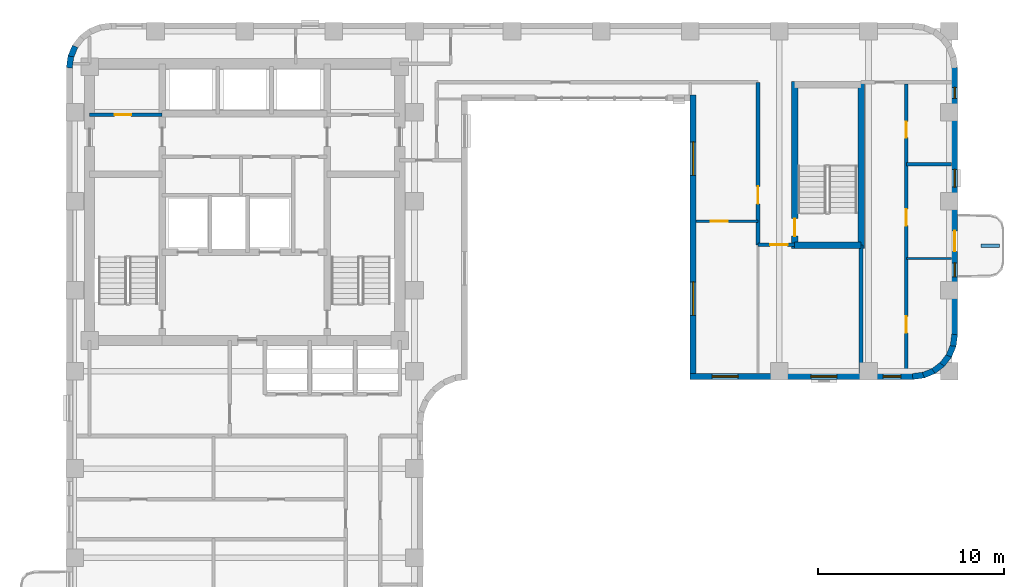
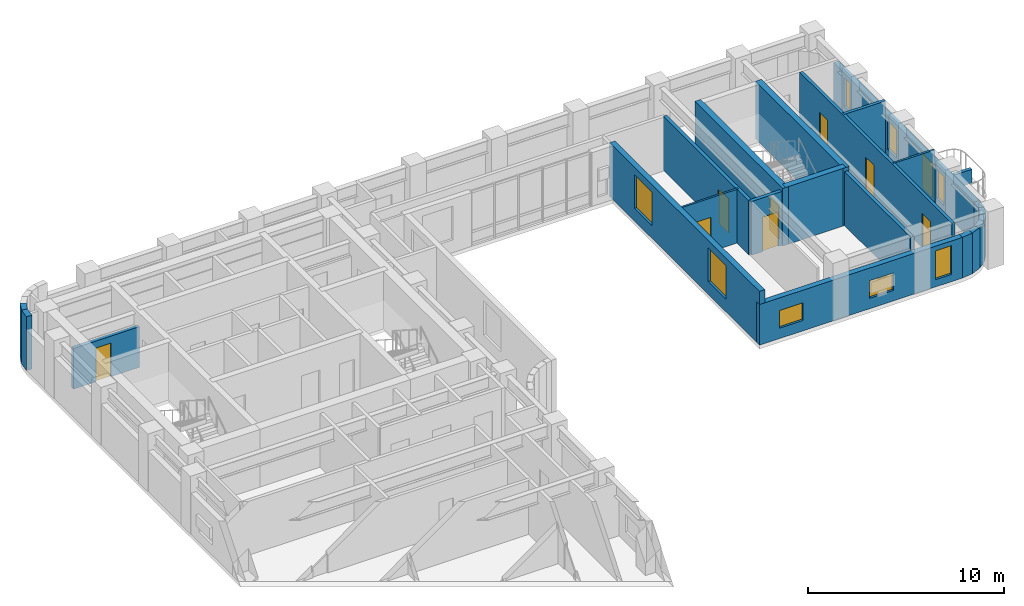
# One storey, part 6 of 11: 23 walls, 9 doors, 8 windows, 17 openings.
"""IFC4 building model written with IfcOpenShell, lengths in metres."""

from ifc_helpers import new_model, si_unit, direction, frame, frame_2d, origin, place, context, subcontext, project, spatial, rectangle, extrude, material, layer, layer_set, type_object, element, fill, save


model = new_model("IFC4")

# Units and contexts
model_context = context("Model", 3, precision=1e-05, world=origin(), true_north=direction((0.0, 1.0)))
body_context = subcontext(model_context, "Body", "Model", "MODEL_VIEW")
ifc_project = project(units=[si_unit("LENGTHUNIT", "METRE"), si_unit("AREAUNIT", "SQUARE_METRE"), si_unit("VOLUMEUNIT", "CUBIC_METRE"), si_unit("PLANEANGLEUNIT", "RADIAN"), si_unit("MASSUNIT", "GRAM", prefix="KILO")], contexts=[model_context])

# Site, building, storey
site_placement = place(None, origin())
site = spatial("IfcSite", under=ifc_project, at=site_placement, CompositionType="ELEMENT")
building_placement = place(site_placement, origin())
building = spatial("IfcBuilding", under=site, at=building_placement, Name="Orvandelia Arch Residences", CompositionType="ELEMENT")
storey_placement = place(building_placement, frame((0.0, 0.0, 157.60009765625)))
storey = spatial("IfcBuildingStorey", under=building, at=storey_placement, Name="L41", CompositionType="ELEMENT", Elevation=157.60009765625)

# Wall, opening, door
ifc_material_1 = material(Name="Concrete C50/60", Category="concrete")
ifc_layer_1 = layer(ifc_material_1, 0.35009765625, Name="Concrete C50/60", Category="concrete")
ifc_layer_set_1 = layer_set([ifc_layer_1], Name="Concrete C50/60")
wall_type_1 = type_object("IfcWallType", Name="WL-CORE-350", PredefinedType="SHEAR", material=ifc_layer_set_1)
wall_1_placement = place(storey_placement, frame((44.02001953125, 35.864990234375, 0.0), z_axis=(0.0, 0.0, 1.0), x_axis=(0.0, 1.0, 0.0)))
wall_1 = element("IfcWall", 1, at=wall_1_placement, inside=storey, type_object=wall_type_1, Name="East Stair Core Shear Wall L41-W", PredefinedType="SHEAR", context=body_context, shape_type="SweptSolid", body=[
    extrude(rectangle(XDim=8.969970703125, YDim=0.35009765625, at=frame_2d((4.48486328125, 0.0))), origin(), (0.0, 0.0, 1.0), 3.599853515625),
])
opening_1_placement = place(wall_1_placement, frame((0.64990234375, 0.0, 0.0)))
opening_1 = element("IfcOpeningElement", 2, at=opening_1_placement, cuts=wall_1, Name="Opening D7", PredefinedType="OPENING", context=body_context, shape_type="SweptSolid", body=[
    extrude(rectangle(XDim=0.949951171875, YDim=2.10009765625, at=frame_2d((0.47509765625, 1.050048828125))), frame((0.0, 0.18505859375, 0.0), z_axis=(0.0, -1.0, 0.0), x_axis=(1.0, 0.0, 0.0)), (0.0, 0.0, 1.0), 0.3701171875),
])
ifc_material_2 = material(Name="Pressurised Stairwell Fire Door")
door_type_1 = type_object("IfcDoorType", Name="DR-STAIR-950", OperationType="NOTDEFINED", PredefinedType="DOOR", material=ifc_material_2)
door_1_placement = place(opening_1_placement, origin())
door_1 = element("IfcDoor", 3, at=door_1_placement, inside=storey, type_object=door_type_1, Name="East Stairwell ST-3 Fire Door L41", OperationType="SINGLE_SWING_LEFT", OverallHeight=2.10009765625, OverallWidth=0.949951171875, PredefinedType="DOOR", context=body_context, shape_type="SweptSolid", body=[
    extrude(rectangle(XDim=0.949951171875, YDim=2.10009765625, at=frame_2d((0.47509765625, 1.050048828125))), frame((0.0, 0.02490234375, 0.0), z_axis=(0.0, -1.0, 0.0), x_axis=(1.0, 0.0, 0.0)), (0.0, 0.0, 1.0), 0.050048828125),
])
fill(opening_1, door_1)

# Walls
wall_2_placement = place(storey_placement, frame((47.60009765625, 35.864990234375, 0.0), z_axis=(0.0, 0.0, 1.0), x_axis=(0.0, 1.0, 0.0)))
element("IfcWall", 4, at=wall_2_placement, inside=storey, type_object=wall_type_1, Name="East Stair Core Shear Wall L41-E", PredefinedType="SHEAR", context=body_context, shape_type="SweptSolid", body=[
    extrude(rectangle(XDim=8.969970703125, YDim=0.35009765625, at=frame_2d((4.48486328125, 0.0))), origin(), (0.0, 0.0, 1.0), 3.599853515625),
])
wall_3_placement = place(storey_placement, frame((44.02001953125, 36.0400390625, 0.0), z_axis=(0.0, 0.0, 1.0), x_axis=(1.0, 0.0, 0.0)))
element("IfcWall", 5, at=wall_3_placement, inside=storey, type_object=wall_type_1, Name="East Stair Core Shear Wall L41-S", PredefinedType="SHEAR", context=body_context, shape_type="SweptSolid", body=[
    extrude(rectangle(XDim=3.580078125, YDim=0.35009765625, at=frame_2d((1.7900390625, 0.0))), origin(), (0.0, 0.0, 1.0), 3.599853515625),
])

# Wall, opening, door
ifc_material_3 = material(Name="Fire-Rated Corridor Partition")
ifc_layer_2 = layer(ifc_material_3, 0.199951171875, Name="Fire-Rated Corridor Partition")
ifc_layer_set_2 = layer_set([ifc_layer_2], Name="Fire-Rated Corridor Partition")
wall_type_2 = type_object("IfcWallType", Name="WL-CORR-200", PredefinedType="PARTITIONING", material=ifc_layer_set_2)
wall_4_placement = place(storey_placement, frame((42.050048828125, 36.050048828125, 0.0), z_axis=(0.0, 0.0, 1.0), x_axis=(0.0, 1.0, 0.0)))
wall_4 = element("IfcWall", 6, at=wall_4_placement, inside=storey, type_object=wall_type_2, Name="Interior Partition Wall WL-L41-ENP-SW", PredefinedType="PARTITIONING", context=body_context, shape_type="SweptSolid", body=[
    extrude(rectangle(XDim=8.75, YDim=0.199951171875, at=frame_2d((4.375, 0.0))), origin(), (0.0, 0.0, 1.0), 3.35986328125),
])
opening_2_placement = place(wall_4_placement, frame((2.199951171875, 0.0, 0.0)))
opening_2 = element("IfcOpeningElement", 7, at=opening_2_placement, cuts=wall_4, Name="Opening D2", PredefinedType="OPENING", context=body_context, shape_type="SweptSolid", body=[
    extrude(rectangle(XDim=0.949951171875, YDim=2.14990234375, at=frame_2d((0.47509765625, 1.074951171875))), frame((0.0, 0.10986328125, 0.0), z_axis=(0.0, -1.0, 0.0), x_axis=(1.0, 0.0, 0.0)), (0.0, 0.0, 1.0), 0.219970703125),
])
ifc_material_4 = material(Name="Solid-Core Timber Interior Fire Door", Category="wood")
door_type_2 = type_object("IfcDoorType", Name="DR-APT-950", OperationType="NOTDEFINED", PredefinedType="DOOR", material=ifc_material_4)
door_2_placement = place(opening_2_placement, origin())
door_2 = element("IfcDoor", 8, at=door_2_placement, inside=storey, type_object=door_type_2, Name="DR-L41-VPE1", OperationType="SINGLE_SWING_LEFT", OverallHeight=2.14990234375, OverallWidth=0.949951171875, PredefinedType="DOOR", context=body_context, shape_type="SweptSolid", body=[
    extrude(rectangle(XDim=0.949951171875, YDim=2.14990234375, at=frame_2d((0.47509765625, 1.074951171875))), frame((0.0, 0.02490234375, 0.0), z_axis=(0.0, -1.0, 0.0), x_axis=(1.0, 0.0, 0.0)), (0.0, 0.0, 1.0), 0.050048828125),
])
fill(opening_2, door_2)

wall_5_placement = place(storey_placement, frame((42.050048828125, 36.050048828125, 0.0), z_axis=(0.0, 0.0, 1.0), x_axis=(1.0, 0.0, 0.0)))
wall_5 = element("IfcWall", 9, at=wall_5_placement, inside=storey, type_object=wall_type_2, Name="Interior Partition Wall WL-L41-ENP-SS", PredefinedType="PARTITIONING", context=body_context, shape_type="SweptSolid", body=[
    extrude(rectangle(XDim=1.969970703125, YDim=0.199951171875, at=frame_2d((0.98486328125, 0.0))), origin(), (0.0, 0.0, 1.0), 3.35986328125),
])
opening_3_placement = place(wall_5_placement, frame((0.64990234375, 0.0, 0.0)))
opening_3 = element("IfcOpeningElement", 10, at=opening_3_placement, cuts=wall_5, Name="Opening D2", PredefinedType="OPENING", context=body_context, shape_type="SweptSolid", body=[
    extrude(rectangle(XDim=0.949951171875, YDim=2.14990234375, at=frame_2d((0.47509765625, 1.074951171875))), frame((0.0, 0.10986328125, 0.0), z_axis=(0.0, -1.0, 0.0), x_axis=(1.0, 0.0, 0.0)), (0.0, 0.0, 1.0), 0.219970703125),
])
door_3_placement = place(opening_3_placement, origin())
door_3 = element("IfcDoor", 11, at=door_3_placement, inside=storey, type_object=door_type_2, Name="DR-L41-VPS3", OperationType="SINGLE_SWING_LEFT", OverallHeight=2.14990234375, OverallWidth=0.949951171875, PredefinedType="DOOR", context=body_context, shape_type="SweptSolid", body=[
    extrude(rectangle(XDim=0.949951171875, YDim=2.14990234375, at=frame_2d((0.47509765625, 1.074951171875))), frame((0.0, 0.02490234375, 0.0), z_axis=(0.0, -1.0, 0.0), x_axis=(1.0, 0.0, 0.0)), (0.0, 0.0, 1.0), 0.050048828125),
])
fill(opening_3, door_3)

# Walls
ifc_material_5 = material(Name="Concrete C40/50", Category="concrete")
ifc_layer_3 = layer(ifc_material_5, 0.199951171875, Name="Concrete C40/50", Category="concrete")
ifc_layer_set_3 = layer_set([ifc_layer_3], Name="Concrete C40/50")
wall_type_3 = type_object("IfcWallType", Name="WL-DEM-200", PredefinedType="SOLIDWALL", material=ifc_layer_set_3)
wall_6_placement = place(storey_placement, frame((47.60009765625, 29.1201171875, 0.0), z_axis=(0.0, 0.0, 1.0), x_axis=(0.0, 1.0, 0.0)))
element("IfcWall", 12, at=wall_6_placement, inside=storey, type_object=wall_type_3, Name="Interior Partition Wall WL-L41-VPS3-E", PredefinedType="SOLIDWALL", context=body_context, shape_type="SweptSolid", body=[
    extrude(rectangle(XDim=6.919921875, YDim=0.199951171875, at=frame_2d((3.4599609375, 0.0))), origin(), (0.0, 0.0, 1.0), 3.35986328125),
])
ifc_material_6 = material(Name="Precast concrete C40/50", Category="concrete")
ifc_layer_4 = layer(ifc_material_6, 0.320068359375, Name="Precast concrete C40/50", Category="concrete")
ifc_layer_set_4 = layer_set([ifc_layer_4], Name="Precast concrete C40/50")
wall_type_4 = type_object("IfcWallType", Name="WL-EXT-STONE-320", PredefinedType="STANDARD", material=ifc_layer_set_4)
for number, where, z_axis, x_axis, name in (
    (13, (4.95849609375, 45.5791015625, 0.0), (0.0, 0.0, 1.0), (0.130555323746, 0.9914410257, 0.0), "Coral-Limestone Precast Facade Wall L41-001"),
    (14, (5.029541015625, 46.159912109375, 0.0), (0.0, 0.0, 1.0), (0.382650053678, 0.92389335771, 0.0), "Coral-Limestone Precast Facade Wall L41-002"),
):
    element("IfcWall", number, at=place(storey_placement, frame(where, z_axis=z_axis, x_axis=x_axis)), inside=storey, type_object=wall_type_4, Name=name, PredefinedType="STANDARD", context=body_context, shape_type="SweptSolid", body=[
        extrude(rectangle(XDim=0.62646484375, YDim=0.320068359375, at=frame_2d((0.313232421875, 0.0))), origin(), (0.0, 0.0, 1.0), 3.35986328125),
    ])

# Wall, openings, door, windows
wall_7_placement = place(storey_placement, frame((52.639892578125, 45.60009765625, 0.0), z_axis=(0.0, 0.0, 1.0), x_axis=(0.0, -1.0, 0.0)))
wall_7 = element("IfcWall", 15, at=wall_7_placement, inside=storey, type_object=wall_type_4, Name="Coral-Limestone Precast Facade Wall L41-014", PredefinedType="STANDARD", context=body_context, shape_type="SweptSolid", body=[
    extrude(rectangle(XDim=14.400146484375, YDim=0.320068359375, at=frame_2d((7.2001953125, 0.0))), origin(), (0.0, 0.0, 1.0), 2.539794921875),
])
opening_4_placement = place(wall_7_placement, frame((8.800048828125, 0.0, 0.0)))
opening_4 = element("IfcOpeningElement", 16, at=opening_4_placement, cuts=wall_7, Name="Opening BD1", PredefinedType="OPENING", context=body_context, shape_type="SweptSolid", body=[
    extrude(rectangle(XDim=1.10009765625, YDim=2.14990234375, at=frame_2d((0.550048828125, 1.074951171875))), frame((0.0, 0.169921875, 0.0), z_axis=(0.0, -1.0, 0.0), x_axis=(1.0, 0.0, 0.0)), (0.0, 0.0, 1.0), 0.340087890625),
])
opening_5_placement = place(wall_7_placement, frame((10.51953125, 0.0, 0.449951171875)))
opening_5 = element("IfcOpeningElement", 17, at=opening_5_placement, cuts=wall_7, Name="Opening W11", PredefinedType="OPENING", context=body_context, shape_type="SweptSolid", body=[
    extrude(rectangle(XDim=0.75, YDim=1.800048828125, at=frame_2d((0.375, 0.89990234375))), frame((0.0, 0.169921875, 0.0), z_axis=(0.0, -1.0, 0.0), x_axis=(1.0, 0.0, 0.0)), (0.0, 0.0, 1.0), 0.340087890625),
])
opening_6_placement = place(wall_7_placement, frame((1.0625, 0.0, 0.449951171875)))
opening_6 = element("IfcOpeningElement", 18, at=opening_6_placement, cuts=wall_7, Name="Opening W12", PredefinedType="OPENING", context=body_context, shape_type="SweptSolid", body=[
    extrude(rectangle(XDim=0.60009765625, YDim=1.800048828125, at=frame_2d((0.300048828125, 0.89990234375))), frame((0.0, 0.169921875, 0.0), z_axis=(0.0, -1.0, 0.0), x_axis=(1.0, 0.0, 0.0)), (0.0, 0.0, 1.0), 0.340087890625),
])
opening_7_placement = place(wall_7_placement, frame((5.486083984375, 0.0, 0.449951171875)))
opening_7 = element("IfcOpeningElement", 19, at=opening_7_placement, cuts=wall_7, Name="Opening W4", PredefinedType="OPENING", context=body_context, shape_type="SweptSolid", body=[
    extrude(rectangle(XDim=0.949951171875, YDim=1.800048828125, at=frame_2d((0.47509765625, 0.89990234375))), frame((0.0, 0.169921875, 0.0), z_axis=(0.0, -1.0, 0.0), x_axis=(1.0, 0.0, 0.0)), (0.0, 0.0, 1.0), 0.340087890625),
])
ifc_material_7 = material(Name="Thermally Broken Aluminium Glazed Door", Category="aluminium")
door_type_3 = type_object("IfcDoorType", Name="DR-BAL-GLAZ-1100", OperationType="NOTDEFINED", PredefinedType="DOOR", material=ifc_material_7)
door_4_placement = place(opening_4_placement, origin())
door_4 = element("IfcDoor", 20, at=door_4_placement, inside=storey, type_object=door_type_3, Name="Tree Balcony Glazed Door BAL-L41-E1", OperationType="SINGLE_SWING_LEFT", OverallHeight=2.14990234375, OverallWidth=1.10009765625, PredefinedType="DOOR", context=body_context, shape_type="SweptSolid", body=[
    extrude(rectangle(XDim=1.10009765625, YDim=2.14990234375, at=frame_2d((0.550048828125, 1.074951171875))), frame((0.0, 0.02490234375, 0.0), z_axis=(0.0, -1.0, 0.0), x_axis=(1.0, 0.0, 0.0)), (0.0, 0.0, 1.0), 0.050048828125),
])
fill(opening_4, door_4)
ifc_material_8 = material(Name="Tempered Low-E Insulated Glazing", Category="glass")
window_type_1 = type_object("IfcWindowType", Name="WIN-BED-0750x1800", PartitioningType="SINGLE_PANEL", PredefinedType="WINDOW", material=ifc_material_8)
window_1_placement = place(opening_5_placement, origin())
window_1 = element("IfcWindow", 21, at=window_1_placement, inside=storey, type_object=window_type_1, Name="Recessed Punched Window L41-004", OverallHeight=1.800048828125, OverallWidth=0.75, PartitioningType="SINGLE_PANEL", PredefinedType="WINDOW", context=body_context, shape_type="SweptSolid", body=[
    extrude(rectangle(XDim=0.75, YDim=1.800048828125, at=frame_2d((0.375, 0.89990234375))), frame((0.0, 0.030029296875, 0.0), z_axis=(0.0, -1.0, 0.0), x_axis=(1.0, 0.0, 0.0)), (0.0, 0.0, 1.0), 0.06005859375),
])
fill(opening_5, window_1)
window_type_2 = type_object("IfcWindowType", Name="WIN-LAN-0600x1800", PartitioningType="SINGLE_PANEL", PredefinedType="WINDOW", material=ifc_material_8)
window_2_placement = place(opening_6_placement, origin())
window_2 = element("IfcWindow", 22, at=window_2_placement, inside=storey, type_object=window_type_2, Name="Recessed Punched Window L41-005", OverallHeight=1.800048828125, OverallWidth=0.60009765625, PartitioningType="SINGLE_PANEL", PredefinedType="WINDOW", context=body_context, shape_type="SweptSolid", body=[
    extrude(rectangle(XDim=0.60009765625, YDim=1.800048828125, at=frame_2d((0.300048828125, 0.89990234375))), frame((0.0, 0.030029296875, 0.0), z_axis=(0.0, -1.0, 0.0), x_axis=(1.0, 0.0, 0.0)), (0.0, 0.0, 1.0), 0.06005859375),
])
fill(opening_6, window_2)
window_type_3 = type_object("IfcWindowType", Name="WIN-RES-0950x1800", PartitioningType="SINGLE_PANEL", PredefinedType="WINDOW", material=ifc_material_8)
window_3_placement = place(opening_7_placement, origin())
window_3 = element("IfcWindow", 23, at=window_3_placement, inside=storey, type_object=window_type_3, Name="Recessed Punched Window L41-006", OverallHeight=1.800048828125, OverallWidth=0.949951171875, PartitioningType="SINGLE_PANEL", PredefinedType="WINDOW", context=body_context, shape_type="SweptSolid", body=[
    extrude(rectangle(XDim=0.949951171875, YDim=1.800048828125, at=frame_2d((0.47509765625, 0.89990234375))), frame((0.0, 0.030029296875, 0.0), z_axis=(0.0, -1.0, 0.0), x_axis=(1.0, 0.0, 0.0)), (0.0, 0.0, 1.0), 0.06005859375),
])
fill(opening_7, window_3)

# Walls
wall_8_placement = place(storey_placement, frame((52.641357421875, 31.220947265625, 0.0), z_axis=(0.0, 0.0, 1.0), x_axis=(-0.130504898859, -0.991447664465, 0.0)))
element("IfcWall", 24, at=wall_8_placement, inside=storey, type_object=wall_type_4, Name="Coral-Limestone Precast Facade Wall L41-015", PredefinedType="STANDARD", context=body_context, shape_type="SweptSolid", body=[
    extrude(rectangle(XDim=0.626708984375, YDim=0.320068359375, at=frame_2d((0.3134765625, 0.0))), origin(), (0.0, 0.0, 1.0), 2.539794921875),
])
wall_9_placement = place(storey_placement, frame((52.5703125, 30.639892578125, 0.0), z_axis=(0.0, 0.0, 1.0), x_axis=(-0.382455093999, -0.923974080304, 0.0)))
element("IfcWall", 25, at=wall_9_placement, inside=storey, type_object=wall_type_4, Name="Coral-Limestone Precast Facade Wall L41-016", PredefinedType="STANDARD", context=body_context, shape_type="SweptSolid", body=[
    extrude(rectangle(XDim=0.626220703125, YDim=0.320068359375, at=frame_2d((0.31298828125, 0.0))), origin(), (0.0, 0.0, 1.0), 2.539794921875),
])
wall_10_placement = place(storey_placement, frame((52.3515625, 30.097412109375, 0.0), z_axis=(0.0, 0.0, 1.0), x_axis=(-0.608693302629, -0.793405610854, 0.0)))
element("IfcWall", 26, at=wall_10_placement, inside=storey, type_object=wall_type_4, Name="Coral-Limestone Precast Facade Wall L41-017", PredefinedType="STANDARD", context=body_context, shape_type="SweptSolid", body=[
    extrude(rectangle(XDim=0.62646484375, YDim=0.320068359375, at=frame_2d((0.313232421875, 0.0))), origin(), (0.0, 0.0, 1.0), 2.539794921875),
])
wall_11_placement = place(storey_placement, frame((51.999755859375, 29.6298828125, 0.0), z_axis=(0.0, 0.0, 1.0), x_axis=(-0.7932174212, -0.608938521285, 0.0)))
element("IfcWall", 27, at=wall_11_placement, inside=storey, type_object=wall_type_4, Name="Coral-Limestone Precast Facade Wall L41-018", PredefinedType="STANDARD", context=body_context, shape_type="SweptSolid", body=[
    extrude(rectangle(XDim=0.626708984375, YDim=0.320068359375, at=frame_2d((0.3134765625, 0.0))), origin(), (0.0, 0.0, 1.0), 2.539794921875),
])
for number, where, z_axis, x_axis, name in (
    (28, (51.538818359375, 29.269287109375, 0.0), (0.0, 0.0, 1.0), (-0.92389335771, -0.382650053678, 0.0), "Coral-Limestone Precast Facade Wall L41-019"),
    (29, (51.000244140625, 29.040283203125, 0.0), (0.0, 0.0, 1.0), (-0.9914410257, -0.130555323746, 0.0), "Coral-Limestone Precast Facade Wall L41-020"),
):
    element("IfcWall", number, at=place(storey_placement, frame(where, z_axis=z_axis, x_axis=x_axis)), inside=storey, type_object=wall_type_4, Name=name, PredefinedType="STANDARD", context=body_context, shape_type="SweptSolid", body=[
        extrude(rectangle(XDim=0.62646484375, YDim=0.320068359375, at=frame_2d((0.313232421875, 0.0))), origin(), (0.0, 0.0, 1.0), 2.539794921875),
    ])

# Wall, openings, windows
wall_12_placement = place(storey_placement, frame((50.39990234375, 28.9599609375, 0.0), z_axis=(0.0, 0.0, 1.0), x_axis=(-1.0, 0.0, 0.0)))
wall_12 = element("IfcWall", 30, at=wall_12_placement, inside=storey, type_object=wall_type_4, Name="Coral-Limestone Precast Facade Wall L41-021", PredefinedType="STANDARD", context=body_context, shape_type="SweptSolid", body=[
    extrude(rectangle(XDim=12.0, YDim=0.320068359375, at=frame_2d((6.0, 0.0))), origin(), (0.0, 0.0, 1.0), 2.539794921875),
])
opening_8_placement = place(wall_12_placement, frame((0.656005859375, 0.0, 0.449951171875)))
opening_8 = element("IfcOpeningElement", 31, at=opening_8_placement, cuts=wall_12, Name="Opening W4", PredefinedType="OPENING", context=body_context, shape_type="SweptSolid", body=[
    extrude(rectangle(XDim=0.949951171875, YDim=1.800048828125, at=frame_2d((0.47509765625, 0.89990234375))), frame((0.0, 0.169921875, 0.0), z_axis=(0.0, -1.0, 0.0), x_axis=(1.0, 0.0, 0.0)), (0.0, 0.0, 1.0), 0.340087890625),
])
opening_9_placement = place(wall_12_placement, frame((9.425048828125, 0.0, 0.64990234375)))
opening_9 = element("IfcOpeningElement", 32, at=opening_9_placement, cuts=wall_12, Name="Opening W10", PredefinedType="OPENING", context=body_context, shape_type="SweptSolid", body=[
    extrude(rectangle(XDim=1.39990234375, YDim=1.10009765625, at=frame_2d((0.699951171875, 0.550048828125))), frame((0.0, 0.169921875, 0.0), z_axis=(0.0, -1.0, 0.0), x_axis=(1.0, 0.0, 0.0)), (0.0, 0.0, 1.0), 0.340087890625),
])
opening_10_placement = place(wall_12_placement, frame((4.10009765625, 0.0, 0.64990234375)))
opening_10 = element("IfcOpeningElement", 33, at=opening_10_placement, cuts=wall_12, Name="Opening W10", PredefinedType="OPENING", context=body_context, shape_type="SweptSolid", body=[
    extrude(rectangle(XDim=1.39990234375, YDim=1.10009765625, at=frame_2d((0.699951171875, 0.550048828125))), frame((0.0, 0.169921875, 0.0), z_axis=(0.0, -1.0, 0.0), x_axis=(1.0, 0.0, 0.0)), (0.0, 0.0, 1.0), 0.340087890625),
])
window_type_4 = type_object("IfcWindowType", Name="WIN-CLR-1400x1100", PartitioningType="SINGLE_PANEL", PredefinedType="WINDOW", material=ifc_material_8)
window_4_placement = place(opening_9_placement, origin())
window_4 = element("IfcWindow", 34, at=window_4_placement, inside=storey, type_object=window_type_4, Name="Recessed Punched Window L41-008", OverallHeight=1.10009765625, OverallWidth=1.39990234375, PartitioningType="SINGLE_PANEL", PredefinedType="WINDOW", context=body_context, shape_type="SweptSolid", body=[
    extrude(rectangle(XDim=1.39990234375, YDim=1.10009765625, at=frame_2d((0.699951171875, 0.550048828125))), frame((0.0, 0.030029296875, 0.0), z_axis=(0.0, -1.0, 0.0), x_axis=(1.0, 0.0, 0.0)), (0.0, 0.0, 1.0), 0.06005859375),
])
fill(opening_9, window_4)
window_5_placement = place(opening_10_placement, origin())
window_5 = element("IfcWindow", 35, at=window_5_placement, inside=storey, type_object=window_type_4, Name="Recessed Punched Window L41-009", OverallHeight=1.10009765625, OverallWidth=1.39990234375, PartitioningType="SINGLE_PANEL", PredefinedType="WINDOW", context=body_context, shape_type="SweptSolid", body=[
    extrude(rectangle(XDim=1.39990234375, YDim=1.10009765625, at=frame_2d((0.699951171875, 0.550048828125))), frame((0.0, 0.030029296875, 0.0), z_axis=(0.0, -1.0, 0.0), x_axis=(1.0, 0.0, 0.0)), (0.0, 0.0, 1.0), 0.06005859375),
])
fill(opening_10, window_5)
window_6_placement = place(opening_8_placement, origin())
window_6 = element("IfcWindow", 36, at=window_6_placement, inside=storey, type_object=window_type_3, Name="Recessed Punched Window L41-007", OverallHeight=1.800048828125, OverallWidth=0.949951171875, PartitioningType="SINGLE_PANEL", PredefinedType="WINDOW", context=body_context, shape_type="SweptSolid", body=[
    extrude(rectangle(XDim=0.949951171875, YDim=1.800048828125, at=frame_2d((0.47509765625, 0.89990234375))), frame((0.0, 0.030029296875, 0.0), z_axis=(0.0, -1.0, 0.0), x_axis=(1.0, 0.0, 0.0)), (0.0, 0.0, 1.0), 0.06005859375),
])
fill(opening_8, window_6)

wall_13_placement = place(storey_placement, frame((38.56005859375, 28.800048828125, 0.0), z_axis=(0.0, 0.0, 1.0), x_axis=(0.0, 1.0, 0.0)))
wall_13 = element("IfcWall", 37, at=wall_13_placement, inside=storey, type_object=wall_type_4, Name="Coral-Limestone Precast Facade Wall L41-022", PredefinedType="STANDARD", context=body_context, shape_type="SweptSolid", body=[
    extrude(rectangle(XDim=15.320068359375, YDim=0.320068359375, at=frame_2d((7.66015625, 0.0))), origin(), (0.0, 0.0, 1.0), 3.35986328125),
])
opening_11_placement = place(wall_13_placement, frame((10.989990234375, 0.0, 0.800048828125)))
opening_11 = element("IfcOpeningElement", 38, at=opening_11_placement, cuts=wall_13, Name="Opening W1", PredefinedType="OPENING", context=body_context, shape_type="SweptSolid", body=[
    extrude(rectangle(XDim=1.800048828125, YDim=2.10009765625, at=frame_2d((0.89990234375, 1.050048828125))), frame((0.0, 0.169921875, 0.0), z_axis=(0.0, -1.0, 0.0), x_axis=(1.0, 0.0, 0.0)), (0.0, 0.0, 1.0), 0.340087890625),
])
opening_12_placement = place(wall_13_placement, frame((3.449951171875, 0.0, 0.800048828125)))
opening_12 = element("IfcOpeningElement", 39, at=opening_12_placement, cuts=wall_13, Name="Opening W1", PredefinedType="OPENING", context=body_context, shape_type="SweptSolid", body=[
    extrude(rectangle(XDim=1.800048828125, YDim=2.10009765625, at=frame_2d((0.89990234375, 1.050048828125))), frame((0.0, 0.169921875, 0.0), z_axis=(0.0, -1.0, 0.0), x_axis=(1.0, 0.0, 0.0)), (0.0, 0.0, 1.0), 0.340087890625),
])
window_type_5 = type_object("IfcWindowType", Name="WIN-RES-1800x2100", PartitioningType="SINGLE_PANEL", PredefinedType="WINDOW", material=ifc_material_8)
window_7_placement = place(opening_11_placement, origin())
window_7 = element("IfcWindow", 40, at=window_7_placement, inside=storey, type_object=window_type_5, Name="Recessed Punched Window L41-010", OverallHeight=2.10009765625, OverallWidth=1.800048828125, PartitioningType="SINGLE_PANEL", PredefinedType="WINDOW", context=body_context, shape_type="SweptSolid", body=[
    extrude(rectangle(XDim=1.800048828125, YDim=2.10009765625, at=frame_2d((0.89990234375, 1.050048828125))), frame((0.0, 0.030029296875, 0.0), z_axis=(0.0, -1.0, 0.0), x_axis=(1.0, 0.0, 0.0)), (0.0, 0.0, 1.0), 0.06005859375),
])
fill(opening_11, window_7)
window_8_placement = place(opening_12_placement, origin())
window_8 = element("IfcWindow", 41, at=window_8_placement, inside=storey, type_object=window_type_5, Name="Recessed Punched Window L41-011", OverallHeight=2.10009765625, OverallWidth=1.800048828125, PartitioningType="SINGLE_PANEL", PredefinedType="WINDOW", context=body_context, shape_type="SweptSolid", body=[
    extrude(rectangle(XDim=1.800048828125, YDim=2.10009765625, at=frame_2d((0.89990234375, 1.050048828125))), frame((0.0, 0.030029296875, 0.0), z_axis=(0.0, -1.0, 0.0), x_axis=(1.0, 0.0, 0.0)), (0.0, 0.0, 1.0), 0.06005859375),
])
fill(opening_12, window_8)

# Wall, opening, door
ifc_material_9 = material(Name="Lightweight Gypsum Stud Partition")
ifc_layer_5 = layer(ifc_material_9, 0.1201171875, Name="Lightweight Gypsum Stud Partition")
ifc_layer_set_5 = layer_set([ifc_layer_5], Name="Lightweight Gypsum Stud Partition")
wall_type_5 = type_object("IfcWallType", Name="WL-PART-120", PredefinedType="PARTITIONING", material=ifc_layer_set_5)
wall_14_placement = place(storey_placement, frame((38.719970703125, 37.320068359375, 0.0), z_axis=(0.0, 0.0, 1.0), x_axis=(1.0, 0.0, 0.0)))
wall_14 = element("IfcWall", 42, at=wall_14_placement, inside=storey, type_object=wall_type_5, Name="Interior Partition Wall WL-L41-VPE-M", PredefinedType="PARTITIONING", context=body_context, shape_type="SweptSolid", body=[
    extrude(rectangle(XDim=3.330078125, YDim=0.1201171875, at=frame_2d((1.6650390625, 0.0))), origin(), (0.0, 0.0, 1.0), 3.35986328125),
])
opening_13_placement = place(wall_14_placement, frame((0.7900390625, 0.0, 0.0)))
opening_13 = element("IfcOpeningElement", 43, at=opening_13_placement, cuts=wall_14, Name="Opening D3", PredefinedType="OPENING", context=body_context, shape_type="SweptSolid", body=[
    extrude(rectangle(XDim=0.89990234375, YDim=2.14990234375, at=frame_2d((0.449951171875, 1.074951171875))), frame((0.0, 0.070068359375, 0.0), z_axis=(0.0, -1.0, 0.0), x_axis=(1.0, 0.0, 0.0)), (0.0, 0.0, 1.0), 0.14013671875),
])
ifc_material_10 = material(Name="Engineered Timber Flush Door", Category="wood")
door_type_4 = type_object("IfcDoorType", Name="DR-INT-900", OperationType="NOTDEFINED", PredefinedType="DOOR", material=ifc_material_10)
door_5_placement = place(opening_13_placement, origin())
door_5 = element("IfcDoor", 44, at=door_5_placement, inside=storey, type_object=door_type_4, Name="DR-L41-VPE2", OperationType="SINGLE_SWING_LEFT", OverallHeight=2.14990234375, OverallWidth=0.89990234375, PredefinedType="DOOR", context=body_context, shape_type="SweptSolid", body=[
    extrude(rectangle(XDim=0.89990234375, YDim=2.14990234375, at=frame_2d((0.449951171875, 1.074951171875))), frame((0.0, 0.02490234375, 0.0), z_axis=(0.0, -1.0, 0.0), x_axis=(1.0, 0.0, 0.0)), (0.0, 0.0, 1.0), 0.050048828125),
])
fill(opening_13, door_5)

# Walls
wall_15_placement = place(storey_placement, frame((50.04296875, 35.31591796875, 0.0), z_axis=(0.0, 0.0, 1.0), x_axis=(1.0, 0.0, 0.0)))
element("IfcWall", 45, at=wall_15_placement, inside=storey, type_object=wall_type_5, Name="Interior Partition Wall WL-L41-U04-H1", PredefinedType="PARTITIONING", context=body_context, shape_type="SweptSolid", body=[
    extrude(rectangle(XDim=2.43701171875, YDim=0.1201171875, at=frame_2d((1.218505859375, 0.0))), origin(), (0.0, 0.0, 1.0), 3.35986328125),
])
ifc_layer_6 = layer(ifc_material_6, 0.199951171875, Name="Precast concrete C40/50", Category="concrete")
ifc_layer_set_6 = layer_set([ifc_layer_6], Name="Precast concrete C40/50")
wall_type_6 = type_object("IfcWallType", Name="WL-PLANTER-200", PredefinedType="MOVABLE", material=ifc_layer_set_6)
wall_16_placement = place(storey_placement, frame((54.050048828125, 36.0, 0.0), z_axis=(0.0, 0.0, 1.0), x_axis=(1.0, 0.0, 0.0)))
element("IfcWall", 46, at=wall_16_placement, inside=storey, type_object=wall_type_6, Name="Balcony Precast Tree Planter BAL-L41-E1", PredefinedType="MOVABLE", context=body_context, shape_type="SweptSolid", body=[
    extrude(rectangle(XDim=1.0, YDim=0.199951171875, at=frame_2d((0.5, 0.0))), origin(), (0.0, 0.0, 1.0), 0.849853515625),
])

# Wall, opening, door
ifc_material_11 = material(Name="Fire-Rated Shaft Enclosure Wall")
ifc_layer_7 = layer(ifc_material_11, 0.199951171875, Name="Fire-Rated Shaft Enclosure Wall")
ifc_layer_set_7 = layer_set([ifc_layer_7], Name="Fire-Rated Shaft Enclosure Wall")
wall_type_7 = type_object("IfcWallType", Name="WL-SHAFT-200", PredefinedType="POLYGONAL", material=ifc_layer_set_7)
wall_17_placement = place(storey_placement, frame((6.050048828125, 43.050048828125, 0.0), z_axis=(0.0, 0.0, 1.0), x_axis=(1.0, 0.0, 0.0)))
wall_17 = element("IfcWall", 47, at=wall_17_placement, inside=storey, type_object=wall_type_7, Name="Interior Partition Wall WL-L41-HLW-N", PredefinedType="POLYGONAL", context=body_context, shape_type="SweptSolid", body=[
    extrude(rectangle(XDim=3.909912109375, YDim=0.199951171875, at=frame_2d((1.955078125, 0.0))), origin(), (0.0, 0.0, 1.0), 2.539794921875),
])
opening_14_placement = place(wall_17_placement, frame((1.35009765625, 0.0, 0.0)))
opening_14 = element("IfcOpeningElement", 48, at=opening_14_placement, cuts=wall_17, Name="Opening D5", PredefinedType="OPENING", context=body_context, shape_type="SweptSolid", body=[
    extrude(rectangle(XDim=0.8798828125, YDim=2.10009765625, at=frame_2d((0.43994140625, 1.050048828125))), frame((0.0, 0.10986328125, 0.0), z_axis=(0.0, -1.0, 0.0), x_axis=(1.0, 0.0, 0.0)), (0.0, 0.0, 1.0), 0.219970703125),
])
ifc_material_12 = material(Name="Painted Galvanised Steel Service Door", Category="steel")
door_type_5 = type_object("IfcDoorType", Name="DR-SRV-880", OperationType="NOTDEFINED", PredefinedType="DOOR", material=ifc_material_12)
door_6_placement = place(opening_14_placement, origin())
door_6 = element("IfcDoor", 49, at=door_6_placement, inside=storey, type_object=door_type_5, Name="Riser Service Door L41", OperationType="SINGLE_SWING_RIGHT", OverallHeight=2.10009765625, OverallWidth=0.8798828125, PredefinedType="DOOR", context=body_context, shape_type="SweptSolid", body=[
    extrude(rectangle(XDim=0.8798828125, YDim=2.10009765625, at=frame_2d((0.43994140625, 1.050048828125))), frame((0.0, 0.02490234375, 0.0), z_axis=(0.0, -1.0, 0.0), x_axis=(1.0, 0.0, 0.0)), (0.0, 0.0, 1.0), 0.050048828125),
])
fill(opening_14, door_6)

# Wall, openings, doors
ifc_material_13 = material(Name="Moisture-Resistant Plumbing Wall")
ifc_layer_8 = layer(ifc_material_13, 0.179931640625, Name="Moisture-Resistant Plumbing Wall")
ifc_layer_set_8 = layer_set([ifc_layer_8], Name="Moisture-Resistant Plumbing Wall")
wall_type_8 = type_object("IfcWallType", Name="WL-WET-180", PredefinedType="PLUMBINGWALL", material=ifc_layer_set_8)
wall_18_placement = place(storey_placement, frame((50.04296875, 29.1201171875, 0.0), z_axis=(0.0, 0.0, 1.0), x_axis=(0.0, 1.0, 0.0)))
wall_18 = element("IfcWall", 50, at=wall_18_placement, inside=storey, type_object=wall_type_8, Name="Interior Partition Wall WL-L41-U04-VT", PredefinedType="PLUMBINGWALL", context=body_context, shape_type="SweptSolid", body=[
    extrude(rectangle(XDim=15.579833984375, YDim=0.179931640625, at=frame_2d((7.7900390625, 0.0))), origin(), (0.0, 0.0, 1.0), 3.35986328125),
])
opening_15_placement = place(wall_18_placement, frame((2.1826171875, 0.0, 0.0)))
opening_15 = element("IfcOpeningElement", 51, at=opening_15_placement, cuts=wall_18, Name="Opening D3", PredefinedType="OPENING", context=body_context, shape_type="SweptSolid", body=[
    extrude(rectangle(XDim=0.89990234375, YDim=2.14990234375, at=frame_2d((0.449951171875, 1.074951171875))), frame((0.0, 0.10009765625, 0.0), z_axis=(0.0, -1.0, 0.0), x_axis=(1.0, 0.0, 0.0)), (0.0, 0.0, 1.0), 0.199951171875),
])
opening_16_placement = place(wall_18_placement, frame((7.958740234375, 0.0, 0.0)))
opening_16 = element("IfcOpeningElement", 52, at=opening_16_placement, cuts=wall_18, Name="Opening D3", PredefinedType="OPENING", context=body_context, shape_type="SweptSolid", body=[
    extrude(rectangle(XDim=0.89990234375, YDim=2.14990234375, at=frame_2d((0.449951171875, 1.074951171875))), frame((0.0, 0.10009765625, 0.0), z_axis=(0.0, -1.0, 0.0), x_axis=(1.0, 0.0, 0.0)), (0.0, 0.0, 1.0), 0.199951171875),
])
opening_17_placement = place(wall_18_placement, frame((12.710693359375, 0.0, 0.0)))
opening_17 = element("IfcOpeningElement", 53, at=opening_17_placement, cuts=wall_18, Name="Opening D4", PredefinedType="OPENING", context=body_context, shape_type="SweptSolid", body=[
    extrude(rectangle(XDim=0.860107421875, YDim=2.10009765625, at=frame_2d((0.43017578125, 1.050048828125))), frame((0.0, 0.10009765625, 0.0), z_axis=(0.0, -1.0, 0.0), x_axis=(1.0, 0.0, 0.0)), (0.0, 0.0, 1.0), 0.199951171875),
])
door_7_placement = place(opening_15_placement, origin())
door_7 = element("IfcDoor", 54, at=door_7_placement, inside=storey, type_object=door_type_4, Name="DR-L41-U04-BD1", OperationType="SINGLE_SWING_RIGHT", OverallHeight=2.14990234375, OverallWidth=0.89990234375, PredefinedType="DOOR", context=body_context, shape_type="SweptSolid", body=[
    extrude(rectangle(XDim=0.89990234375, YDim=2.14990234375, at=frame_2d((0.449951171875, 1.074951171875))), frame((0.0, 0.02490234375, 0.0), z_axis=(0.0, -1.0, 0.0), x_axis=(1.0, 0.0, 0.0)), (0.0, 0.0, 1.0), 0.050048828125),
])
fill(opening_15, door_7)
door_8_placement = place(opening_16_placement, origin())
door_8 = element("IfcDoor", 55, at=door_8_placement, inside=storey, type_object=door_type_4, Name="DR-L41-U04-KIT", OperationType="SINGLE_SWING_LEFT", OverallHeight=2.14990234375, OverallWidth=0.89990234375, PredefinedType="DOOR", context=body_context, shape_type="SweptSolid", body=[
    extrude(rectangle(XDim=0.89990234375, YDim=2.14990234375, at=frame_2d((0.449951171875, 1.074951171875))), frame((0.0, 0.02490234375, 0.0), z_axis=(0.0, -1.0, 0.0), x_axis=(1.0, 0.0, 0.0)), (0.0, 0.0, 1.0), 0.050048828125),
])
fill(opening_16, door_8)
ifc_material_14 = material(Name="Moisture-Sealed Timber Bathroom Door", Category="wood")
door_type_6 = type_object("IfcDoorType", Name="DR-WET-900", OperationType="NOTDEFINED", PredefinedType="DOOR", material=ifc_material_14)
door_9_placement = place(opening_17_placement, origin())
door_9 = element("IfcDoor", 56, at=door_9_placement, inside=storey, type_object=door_type_6, Name="DR-L41-U04-BTH", OperationType="SINGLE_SWING_RIGHT", OverallHeight=2.10009765625, OverallWidth=0.860107421875, PredefinedType="DOOR", context=body_context, shape_type="SweptSolid", body=[
    extrude(rectangle(XDim=0.860107421875, YDim=2.10009765625, at=frame_2d((0.43017578125, 1.050048828125))), frame((0.0, 0.02490234375, 0.0), z_axis=(0.0, -1.0, 0.0), x_axis=(1.0, 0.0, 0.0)), (0.0, 0.0, 1.0), 0.050048828125),
])
fill(opening_17, door_9)

# Wall
wall_19_placement = place(storey_placement, frame((50.04296875, 40.383056640625, 0.0), z_axis=(0.0, 0.0, 1.0), x_axis=(1.0, 0.0, 0.0)))
element("IfcWall", 57, at=wall_19_placement, inside=storey, type_object=wall_type_8, Name="Interior Partition Wall WL-L41-U04-H2", PredefinedType="PLUMBINGWALL", context=body_context, shape_type="SweptSolid", body=[
    extrude(rectangle(XDim=2.43701171875, YDim=0.179931640625, at=frame_2d((1.218505859375, 0.0))), origin(), (0.0, 0.0, 1.0), 3.35986328125),
])

save(model, "model.ifc")
